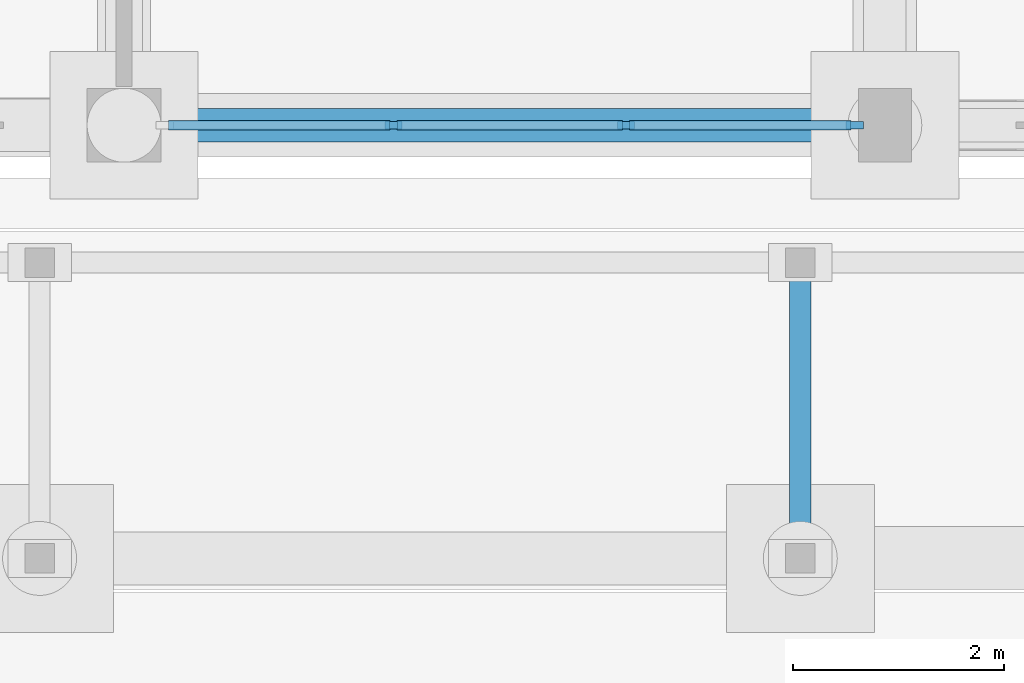
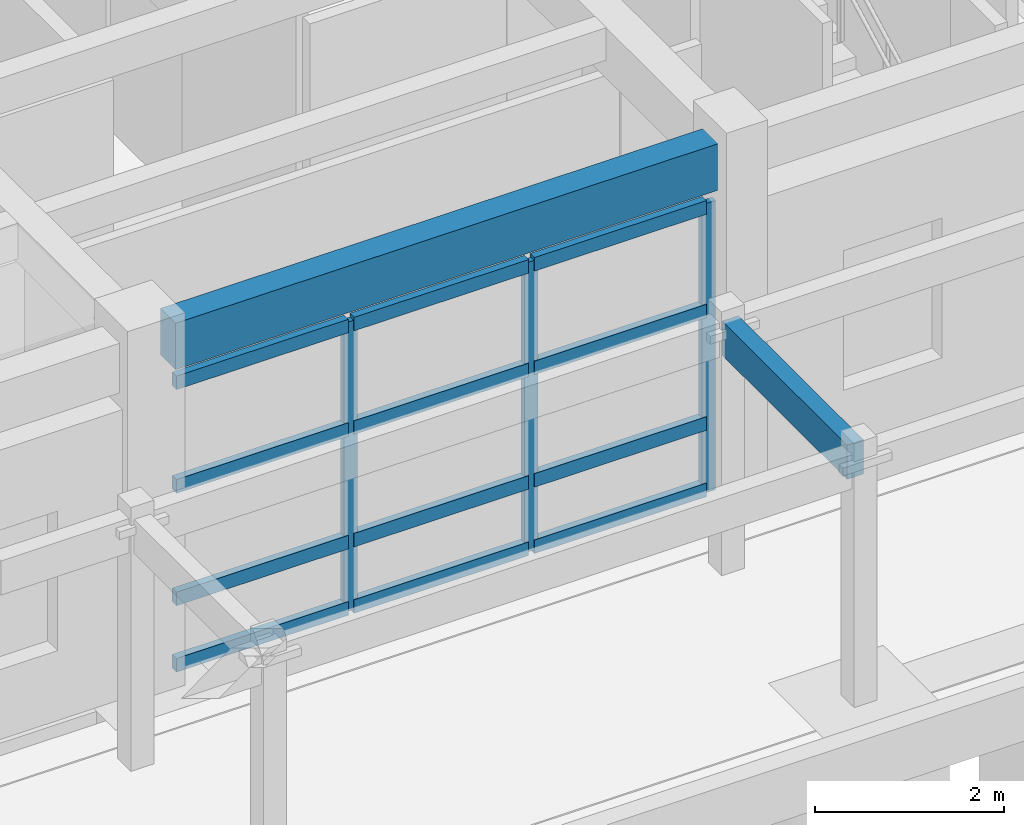
# One storey, part 40 of 143: 15 members, 2 beams, 1 element without a shape of its own.
"""IFC4 building model written with IfcOpenShell, lengths in metres."""

import ifcopenshell
import ifcopenshell.guid

model = None  # the IFC model being written
_history = None  # IfcOwnerHistory: only IFC2X3 demands one
_inside = {}  # id of a spatial element -> (the spatial element, [elements in it])
_under = {}  # id of a project, library or spatial element -> (it, [spatial elements below it])
_declared = {}  # id of a project -> (the project, [libraries it declares])
_typed = {}  # id of a type object -> (the type object, [elements of that type])
_made_of = {}  # id of a material, layer set ... -> (it, [elements and type objects made of it])


def new_model(schema):
    """Start an empty IFC model of exactly this schema.

    Asked for "IFC4X3", IfcOpenShell would pick the latest addendum, in which some entities
    have other attributes; the version numbers below select the first issue.
    IFC2X3 requires an IfcOwnerHistory on every rooted entity: one is made here for all.
    """
    global model, _history
    if schema == "IFC4X3":
        model = ifcopenshell.file(schema_version=(4, 3, 0, 0))
    else:
        model = ifcopenshell.file(schema=schema)
    _inside.clear()
    _under.clear()
    _declared.clear()
    _typed.clear()
    _made_of.clear()
    _history = None
    if model.schema == "IFC2X3":
        org = make("IfcOrganization", Name="unknown")
        user = make(
            "IfcPersonAndOrganization",
            ThePerson=make("IfcPerson", FamilyName="unknown"),
            TheOrganization=org,
        )
        app = make(
            "IfcApplication",
            ApplicationDeveloper=org,
            Version="unknown",
            ApplicationFullName="unknown",
            ApplicationIdentifier="unknown",
        )
        _history = make(
            "IfcOwnerHistory",
            OwningUser=user,
            OwningApplication=app,
            ChangeAction="ADDED",
            CreationDate=0,
        )
    return model


def make(cls, **values):
    """One entity of the class cls with the attributes given. An attribute that is None is left unset."""
    return model.create_entity(
        cls, **{name: value for name, value in values.items() if value is not None}
    )


def rooted(cls, **values):
    """An entity with a GlobalId (a new one), such as an element, a storey or a relation."""
    return make(cls, GlobalId=ifcopenshell.guid.new(), OwnerHistory=_history, **values)


def si_unit(unit_type, name, prefix=None):
    """IfcSIUnit, for example si_unit("LENGTHUNIT", "METRE", prefix="MILLI")."""
    return make("IfcSIUnit", UnitType=unit_type, Prefix=prefix, Name=name)


def assignment(units):
    """IfcUnitAssignment: the units of a project."""
    return None if units is None else make("IfcUnitAssignment", Units=units)


def point(xyz):
    """IfcCartesianPoint."""
    return None if xyz is None else make("IfcCartesianPoint", Coordinates=xyz)


def direction(xyz):
    """IfcDirection."""
    return None if xyz is None else make("IfcDirection", DirectionRatios=xyz)


def frame(location, z_axis=None, x_axis=None):
    """IfcAxis2Placement3D, a coordinate frame: its origin and axes. An axis left out is left unset."""
    return make(
        "IfcAxis2Placement3D",
        Location=point(location),
        Axis=direction(z_axis),
        RefDirection=direction(x_axis),
    )


def frame_2d(location, x_axis=None):
    """IfcAxis2Placement2D, a coordinate frame in the plane: its origin and x axis."""
    return make(
        "IfcAxis2Placement2D", Location=point(location), RefDirection=direction(x_axis)
    )


def origin():
    """The frame at (0, 0, 0) with its axes left unset."""
    return frame((0.0, 0.0, 0.0))


def origin_2d():
    """The frame at (0, 0) in the plane with its x axis left unset."""
    return frame_2d((0.0, 0.0))


def place(relative_to, where):
    """IfcLocalPlacement: puts the frame where relative to a parent placement (None: the world)."""
    return make(
        "IfcLocalPlacement", PlacementRelTo=relative_to, RelativePlacement=where
    )


def context(
    kind, dimensions, precision=None, world=None, true_north=None, identifier=None
):
    """IfcGeometricRepresentationContext, for example the 3D "Model" context."""
    return make(
        "IfcGeometricRepresentationContext",
        ContextIdentifier=identifier,
        ContextType=kind,
        CoordinateSpaceDimension=dimensions,
        Precision=precision,
        WorldCoordinateSystem=world,
        TrueNorth=true_north,
    )


def subcontext(parent, identifier, kind, view, scale=None):
    """IfcGeometricRepresentationSubContext, for example "Body" below "Model"."""
    return make(
        "IfcGeometricRepresentationSubContext",
        ContextIdentifier=identifier,
        ContextType=kind,
        ParentContext=parent,
        TargetScale=scale,
        TargetView=view,
    )


def project(units=None, contexts=None):
    """IfcProject with its units and contexts."""
    return rooted(
        "IfcProject",
        Name="project",
        RepresentationContexts=contexts,
        UnitsInContext=assignment(units),
    )


def spatial(cls, under=None, at=None, **own):
    """A site, building, storey or space (cls), placed at a placement, below another one or the project."""
    s = rooted(cls, ObjectPlacement=at, **own)
    if under is not None:
        _under.setdefault(under.id(), (under, []))[1].append(s)
    return s


def profile(cls, at=None, kind="AREA", **sizes):
    """A parametric profile (cls). Its sizes go by their IFC names, for example OverallWidth=200.0."""
    return make(cls, ProfileType=kind, Position=at, **sizes)


def rectangle(**sizes):
    """IfcRectangleProfileDef."""
    return profile("IfcRectangleProfileDef", **sizes)


def extrude(swept, where, along, depth):
    """IfcExtrudedAreaSolid: the profile swept, set in the frame where, extruded along a direction by depth."""
    return make(
        "IfcExtrudedAreaSolid",
        SweptArea=swept,
        Position=where,
        ExtrudedDirection=direction(along),
        Depth=depth,
    )


def shape(context_of_items, identifier, shape_type, items):
    """IfcShapeRepresentation: the items that make up one representation, for example the "Body"."""
    return make(
        "IfcShapeRepresentation",
        ContextOfItems=context_of_items,
        RepresentationIdentifier=identifier,
        RepresentationType=shape_type,
        Items=items,
    )


def material(Name=None, Category=None):
    """IfcMaterial."""
    return make("IfcMaterial", Name=Name, Category=Category)


def material_profile(
    of_material, cross_section, Name=None, Category=None, Priority=None
):
    """IfcMaterialProfile: a cross section and its material."""
    return make(
        "IfcMaterialProfile",
        Name=Name,
        Material=of_material,
        Profile=cross_section,
        Priority=Priority,
        Category=Category,
    )


def profile_set(profiles, Name=None, composite=None):
    """IfcMaterialProfileSet."""
    return make(
        "IfcMaterialProfileSet",
        Name=Name,
        MaterialProfiles=profiles,
        CompositeProfile=composite,
    )


def made_of(thing, what):
    """Note that an element or type object is made of a material, layer set ...; save() writes the relation."""
    if what is not None:
        _made_of.setdefault(what.id(), (what, []))[1].append(thing)
    return thing


def type_object(cls, material=None, **own):
    """A type object (cls), such as IfcWallType, which elements share."""
    return made_of(rooted(cls, **own), material)


def element(
    cls,
    number,
    at=None,
    inside=None,
    cuts=None,
    type_object=None,
    material=None,
    context=None,
    identifier="Body",
    shape_type=None,
    held_by="IfcProductDefinitionShape",
    body=None,
    shapes=None,
    **own,
):
    """One element of the class cls, such as IfcWall. Its Tag is "e" and its number.

    at: its placement. inside: the storey or other place that contains it. cuts: it is an
    opening in that element (IfcRelVoidsElement). A single representation is given by context,
    identifier, shape_type and body (its items); several are given by shapes. held_by: the class
    of the entity that holds the representations. save() writes the other relations.
    """
    e = rooted(cls, Tag="e%d" % number, ObjectPlacement=at, **own)
    if body is not None:
        shapes = [shape(context, identifier, shape_type, body)]
    if shapes is not None:
        e.Representation = make(held_by, Representations=shapes)
    if inside is not None:
        _inside.setdefault(inside.id(), (inside, []))[1].append(e)
    if cuts is not None:
        rooted(
            "IfcRelVoidsElement", RelatingBuildingElement=cuts, RelatedOpeningElement=e
        )
    if type_object is not None:
        _typed.setdefault(type_object.id(), (type_object, []))[1].append(e)
    return made_of(e, material)


def aggregate(whole, parts):
    """IfcRelAggregates: a whole, such as a stair, and the parts it consists of."""
    return rooted("IfcRelAggregates", RelatingObject=whole, RelatedObjects=parts)


def save(model, path):
    """Write the relations noted so far, then the file.

    IfcRelAggregates (storeys below a building ...), IfcRelContainedInSpatialStructure (elements
    in a storey), IfcRelDefinesByType, IfcRelAssociatesMaterial and IfcRelDeclares: one each for
    every whole, place, type object, material and project.
    """
    for whole, parts in _under.values():
        aggregate(whole, parts)
    for where, things in _inside.values():
        rooted(
            "IfcRelContainedInSpatialStructure",
            RelatedElements=things,
            RelatingStructure=where,
        )
    for kind, things in _typed.values():
        rooted("IfcRelDefinesByType", RelatedObjects=things, RelatingType=kind)
    for what, things in _made_of.values():
        rooted("IfcRelAssociatesMaterial", RelatedObjects=things, RelatingMaterial=what)
    for by, libraries in _declared.values():
        rooted("IfcRelDeclares", RelatingContext=by, RelatedDefinitions=libraries)
    model.write(path)


model = new_model("IFC4")

# Units and contexts
model_context = context("Model", 3, precision=1e-05, world=origin(), true_north=direction((0.0, 1.0)))
body_context = subcontext(model_context, "Body", "Model", "MODEL_VIEW")
ifc_project = project(units=[si_unit("LENGTHUNIT", "METRE"), si_unit("AREAUNIT", "SQUARE_METRE"), si_unit("VOLUMEUNIT", "CUBIC_METRE"), si_unit("PLANEANGLEUNIT", "RADIAN"), si_unit("MASSUNIT", "GRAM", prefix="KILO")], contexts=[model_context])

# Site, building, storey
site_placement = place(None, origin())
site = spatial("IfcSite", under=ifc_project, at=site_placement, CompositionType="ELEMENT")
building_placement = place(site_placement, origin())
building = spatial("IfcBuilding", under=site, at=building_placement, Name="Steenspoor Specialist Clinic", CompositionType="ELEMENT")
storey_placement = place(building_placement, origin())
storey = spatial("IfcBuildingStorey", under=building, at=storey_placement, Name="L00", CompositionType="ELEMENT", Elevation=0.0)

# Beam
ifc_material_1 = material(Name="Glulam GL28h", Category="wood")
ifc_material_profile_1 = material_profile(ifc_material_1, rectangle(XDim=0.199951171875, YDim=0.43994140625, at=origin_2d()), Name="GL28H-200X440")
ifc_profile_set_1 = profile_set([ifc_material_profile_1], Name="Glulam GL28h")
beam_type_1 = type_object("IfcBeamType", Name="BM-GL-200X440", PredefinedType="BEAM", material=ifc_profile_set_1)
beam_1_placement = place(storey_placement, frame((66.0, 61.1298828125, 3.014892578125), z_axis=(0.0, 1.0, 0.0), x_axis=(-1.0, 0.0, 0.0)))
element("IfcBeam", 1, at=beam_1_placement, inside=storey, type_object=beam_type_1, Name="BM-WK4-T-660", PredefinedType="BEAM", context=body_context, shape_type="SweptSolid", body=[
    extrude(rectangle(XDim=0.199951171875, YDim=0.43994140625, at=origin_2d()), origin(), (0.0, 0.0, 1.0), 2.64013671875),
])

# Curtain wall, members
ifc_material_2 = material(Name="Thermally broken aluminium and low-emissivity glass", Category="aluminium")
curtain_wall_type = type_object("IfcCurtainWallType", Name="CW-WLK-640X340", PredefinedType="USERDEFINED", material=ifc_material_2)
curtain_wall_placement = place(storey_placement, origin())
curtain_wall = element("IfcCurtainWall", 2, at=curtain_wall_placement, inside=storey, type_object=curtain_wall_type, Name="Unitised Curtain Wall CW-V4-L00-044", ObjectType="UNITISED GLAZING", PredefinedType="USERDEFINED")
ifc_material_3 = material(Name="Thermally broken aluminium 6063-T6", Category="aluminium")
ifc_material_profile_2 = material_profile(ifc_material_3, rectangle(XDim=0.070068359375, YDim=0.1650390625, at=origin_2d()), Name="CWM-70X165")
ifc_profile_set_2 = profile_set([ifc_material_profile_2], Name="Thermally broken aluminium 6063-T6")
member_type_1 = type_object("IfcMemberType", Name="CW-MULL-70X165", PredefinedType="MULLION", material=ifc_profile_set_2)
member_1_placement = place(storey_placement, frame((66.514892578125, 65.14990234375, 0.0), z_axis=(0.0, 0.0, 1.0), x_axis=(0.0, -1.0, 0.0)))
member_1 = element("IfcMember", 3, at=member_1_placement, type_object=member_type_1, Name="CW-20 mullion 1", PredefinedType="MULLION", context=body_context, shape_type="SweptSolid", body=[
    extrude(rectangle(XDim=0.070068359375, YDim=0.1650390625, at=origin_2d()), origin(), (0.0, 0.0, 1.0), 3.72998046875),
])
member_2_placement = place(storey_placement, frame((64.35009765625, 65.14990234375, 0.0), z_axis=(0.0, 0.0, 1.0), x_axis=(0.0, -1.0, 0.0)))
member_2 = element("IfcMember", 4, at=member_2_placement, type_object=member_type_1, Name="CW-20 mullion 2", PredefinedType="MULLION", context=body_context, shape_type="SweptSolid", body=[
    extrude(rectangle(XDim=0.070068359375, YDim=0.1650390625, at=origin_2d()), origin(), (0.0, 0.0, 1.0), 3.72998046875),
])
member_3_placement = place(storey_placement, frame((62.14990234375, 65.14990234375, 0.0), z_axis=(0.0, 0.0, 1.0), x_axis=(0.0, -1.0, 0.0)))
member_3 = element("IfcMember", 5, at=member_3_placement, type_object=member_type_1, Name="CW-20 mullion 3", PredefinedType="MULLION", context=body_context, shape_type="SweptSolid", body=[
    extrude(rectangle(XDim=0.070068359375, YDim=0.1650390625, at=origin_2d()), origin(), (0.0, 0.0, 1.0), 3.72998046875),
])
ifc_material_profile_3 = material_profile(ifc_material_3, rectangle(XDim=0.090087890625, YDim=0.175048828125, at=origin_2d()), Name="CWT-90X175")
ifc_profile_set_3 = profile_set([ifc_material_profile_3], Name="Thermally broken aluminium 6063-T6")
member_type_2 = type_object("IfcMemberType", Name="CW-TRAN-90X175", PredefinedType="USERDEFINED", material=ifc_profile_set_3)
member_4_placement = place(storey_placement, frame((66.47998046875, 65.14990234375, 0.044921875), z_axis=(-1.0, 0.0, 0.0), x_axis=(0.0, -1.0, 0.0)))
member_4 = element("IfcMember", 6, at=member_4_placement, type_object=member_type_2, Name="CW-20 transom 1.1", ObjectType="TRANSOM", PredefinedType="USERDEFINED", context=body_context, shape_type="SweptSolid", body=[
    extrude(rectangle(XDim=0.090087890625, YDim=0.175048828125, at=origin_2d()), origin(), (0.0, 0.0, 1.0), 2.094970703125),
])
member_5_placement = place(storey_placement, frame((66.47998046875, 65.14990234375, 0.89990234375), z_axis=(-1.0, 0.0, 0.0), x_axis=(0.0, -1.0, 0.0)))
member_5 = element("IfcMember", 7, at=member_5_placement, type_object=member_type_2, Name="CW-20 transom 1.2", ObjectType="TRANSOM", PredefinedType="USERDEFINED", context=body_context, shape_type="SweptSolid", body=[
    extrude(rectangle(XDim=0.090087890625, YDim=0.175048828125, at=origin_2d()), origin(), (0.0, 0.0, 1.0), 2.094970703125),
])
member_6_placement = place(storey_placement, frame((66.47998046875, 65.14990234375, 2.35009765625), z_axis=(-1.0, 0.0, 0.0), x_axis=(0.0, -1.0, 0.0)))
member_6 = element("IfcMember", 8, at=member_6_placement, type_object=member_type_2, Name="CW-20 transom 1.3", ObjectType="TRANSOM", PredefinedType="USERDEFINED", context=body_context, shape_type="SweptSolid", body=[
    extrude(rectangle(XDim=0.090087890625, YDim=0.175048828125, at=origin_2d()), origin(), (0.0, 0.0, 1.0), 2.094970703125),
])
member_7_placement = place(storey_placement, frame((66.47998046875, 65.14990234375, 3.68505859375), z_axis=(-1.0, 0.0, 0.0), x_axis=(0.0, -1.0, 0.0)))
member_7 = element("IfcMember", 9, at=member_7_placement, type_object=member_type_2, Name="CW-20 transom 1.4", ObjectType="TRANSOM", PredefinedType="USERDEFINED", context=body_context, shape_type="SweptSolid", body=[
    extrude(rectangle(XDim=0.090087890625, YDim=0.175048828125, at=origin_2d()), origin(), (0.0, 0.0, 1.0), 2.094970703125),
])
member_8_placement = place(storey_placement, frame((64.31494140625, 65.14990234375, 0.044921875), z_axis=(-1.0, 0.0, 0.0), x_axis=(0.0, -1.0, 0.0)))
member_8 = element("IfcMember", 10, at=member_8_placement, type_object=member_type_2, Name="CW-20 transom 2.1", ObjectType="TRANSOM", PredefinedType="USERDEFINED", context=body_context, shape_type="SweptSolid", body=[
    extrude(rectangle(XDim=0.090087890625, YDim=0.175048828125, at=origin_2d()), origin(), (0.0, 0.0, 1.0), 2.1298828125),
])
member_9_placement = place(storey_placement, frame((64.31494140625, 65.14990234375, 0.89990234375), z_axis=(-1.0, 0.0, 0.0), x_axis=(0.0, -1.0, 0.0)))
member_9 = element("IfcMember", 11, at=member_9_placement, type_object=member_type_2, Name="CW-20 transom 2.2", ObjectType="TRANSOM", PredefinedType="USERDEFINED", context=body_context, shape_type="SweptSolid", body=[
    extrude(rectangle(XDim=0.090087890625, YDim=0.175048828125, at=origin_2d()), origin(), (0.0, 0.0, 1.0), 2.1298828125),
])
member_10_placement = place(storey_placement, frame((64.31494140625, 65.14990234375, 2.35009765625), z_axis=(-1.0, 0.0, 0.0), x_axis=(0.0, -1.0, 0.0)))
member_10 = element("IfcMember", 12, at=member_10_placement, type_object=member_type_2, Name="CW-20 transom 2.3", ObjectType="TRANSOM", PredefinedType="USERDEFINED", context=body_context, shape_type="SweptSolid", body=[
    extrude(rectangle(XDim=0.090087890625, YDim=0.175048828125, at=origin_2d()), origin(), (0.0, 0.0, 1.0), 2.1298828125),
])
member_11_placement = place(storey_placement, frame((64.31494140625, 65.14990234375, 3.68505859375), z_axis=(-1.0, 0.0, 0.0), x_axis=(0.0, -1.0, 0.0)))
member_11 = element("IfcMember", 13, at=member_11_placement, type_object=member_type_2, Name="CW-20 transom 2.4", ObjectType="TRANSOM", PredefinedType="USERDEFINED", context=body_context, shape_type="SweptSolid", body=[
    extrude(rectangle(XDim=0.090087890625, YDim=0.175048828125, at=origin_2d()), origin(), (0.0, 0.0, 1.0), 2.1298828125),
])
member_12_placement = place(storey_placement, frame((62.114990234375, 65.14990234375, 0.044921875), z_axis=(-1.0, 0.0, 0.0), x_axis=(0.0, -1.0, 0.0)))
member_12 = element("IfcMember", 14, at=member_12_placement, type_object=member_type_2, Name="CW-20 transom 3.1", ObjectType="TRANSOM", PredefinedType="USERDEFINED", context=body_context, shape_type="SweptSolid", body=[
    extrude(rectangle(XDim=0.090087890625, YDim=0.175048828125, at=origin_2d()), origin(), (0.0, 0.0, 1.0), 2.094970703125),
])
member_13_placement = place(storey_placement, frame((62.114990234375, 65.14990234375, 0.89990234375), z_axis=(-1.0, 0.0, 0.0), x_axis=(0.0, -1.0, 0.0)))
member_13 = element("IfcMember", 15, at=member_13_placement, type_object=member_type_2, Name="CW-20 transom 3.2", ObjectType="TRANSOM", PredefinedType="USERDEFINED", context=body_context, shape_type="SweptSolid", body=[
    extrude(rectangle(XDim=0.090087890625, YDim=0.175048828125, at=origin_2d()), origin(), (0.0, 0.0, 1.0), 2.094970703125),
])
member_14_placement = place(storey_placement, frame((62.114990234375, 65.14990234375, 2.35009765625), z_axis=(-1.0, 0.0, 0.0), x_axis=(0.0, -1.0, 0.0)))
member_14 = element("IfcMember", 16, at=member_14_placement, type_object=member_type_2, Name="CW-20 transom 3.3", ObjectType="TRANSOM", PredefinedType="USERDEFINED", context=body_context, shape_type="SweptSolid", body=[
    extrude(rectangle(XDim=0.090087890625, YDim=0.175048828125, at=origin_2d()), origin(), (0.0, 0.0, 1.0), 2.094970703125),
])
member_15_placement = place(storey_placement, frame((62.114990234375, 65.14990234375, 3.68505859375), z_axis=(-1.0, 0.0, 0.0), x_axis=(0.0, -1.0, 0.0)))
member_15 = element("IfcMember", 17, at=member_15_placement, type_object=member_type_2, Name="CW-20 transom 3.4", ObjectType="TRANSOM", PredefinedType="USERDEFINED", context=body_context, shape_type="SweptSolid", body=[
    extrude(rectangle(XDim=0.090087890625, YDim=0.175048828125, at=origin_2d()), origin(), (0.0, 0.0, 1.0), 2.094970703125),
])
aggregate(curtain_wall, [member_1, member_2, member_3, member_4, member_5, member_6, member_7, member_8, member_9, member_10, member_11, member_12, member_13, member_14, member_15])

# Beam
ifc_material_4 = material(Name="Concrete C35/45", Category="concrete")
ifc_material_profile_4 = material_profile(ifc_material_4, rectangle(XDim=0.320068359375, YDim=0.60009765625, at=origin_2d()), Name="RC-SP-320X600")
ifc_profile_set_4 = profile_set([ifc_material_profile_4], Name="Concrete C35/45")
beam_type_2 = type_object("IfcBeamType", Name="SP-RC-320X600", PredefinedType="SPANDREL", material=ifc_profile_set_4)
beam_2_placement = place(storey_placement, frame((59.945068359375, 65.14990234375, 4.25), z_axis=(1.0, 0.0, 0.0), x_axis=(0.0, 1.0, 0.0)))
element("IfcBeam", 18, at=beam_2_placement, inside=storey, type_object=beam_type_2, Name="BM-V4-L00-X0287", PredefinedType="SPANDREL", context=body_context, shape_type="SweptSolid", body=[
    extrude(rectangle(XDim=0.320068359375, YDim=0.60009765625, at=origin_2d()), origin(), (0.0, 0.0, 1.0), 6.60986328125),
])

save(model, "model.ifc")
